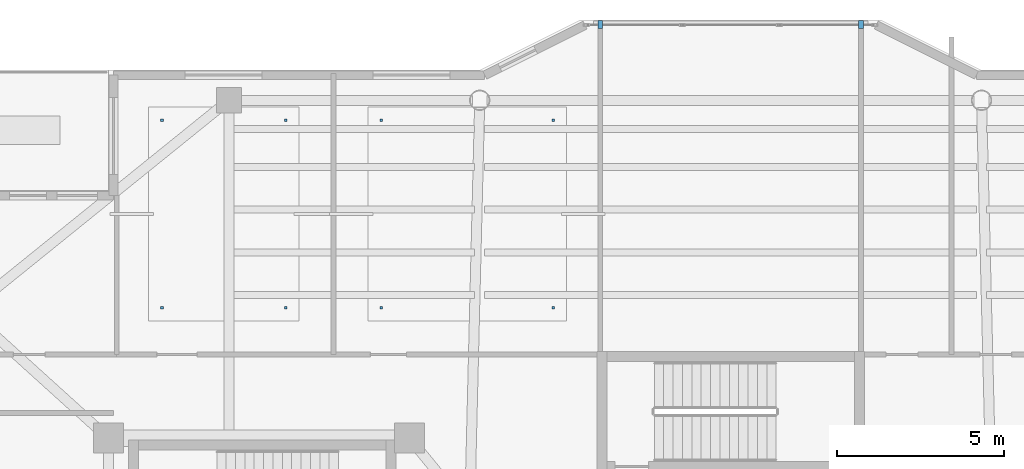
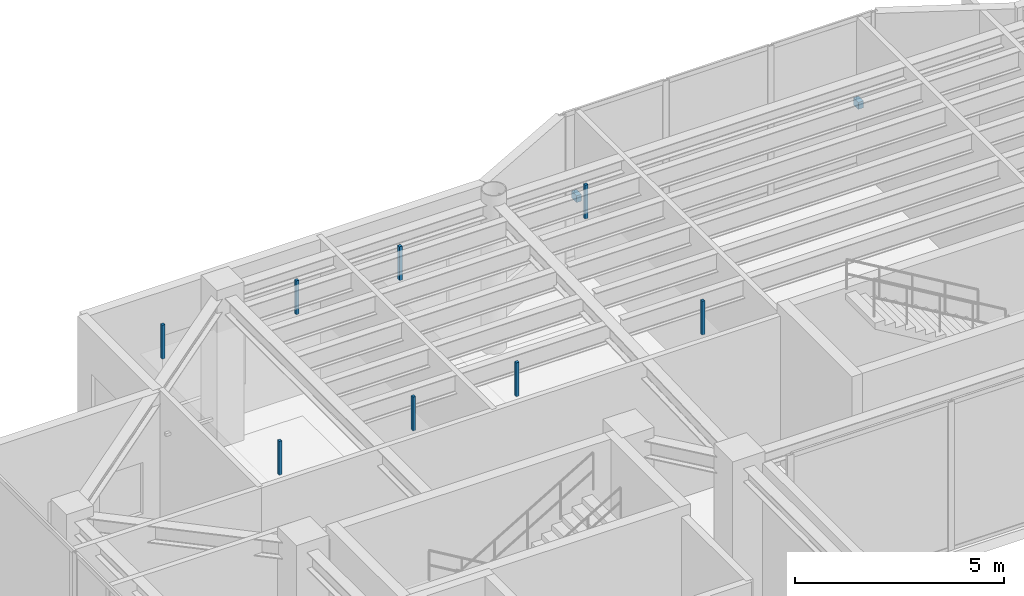
# One storey, part 29 of 34: 10 discrete accessories.
"""IFC4 building model written with IfcOpenShell, lengths in metres."""

import ifcopenshell
import ifcopenshell.guid

model = None  # the IFC model being written
_history = None  # IfcOwnerHistory: only IFC2X3 demands one
_inside = {}  # id of a spatial element -> (the spatial element, [elements in it])
_under = {}  # id of a project, library or spatial element -> (it, [spatial elements below it])
_declared = {}  # id of a project -> (the project, [libraries it declares])
_typed = {}  # id of a type object -> (the type object, [elements of that type])
_made_of = {}  # id of a material, layer set ... -> (it, [elements and type objects made of it])


def new_model(schema):
    """Start an empty IFC model of exactly this schema.

    Asked for "IFC4X3", IfcOpenShell would pick the latest addendum, in which some entities
    have other attributes; the version numbers below select the first issue.
    IFC2X3 requires an IfcOwnerHistory on every rooted entity: one is made here for all.
    """
    global model, _history
    if schema == "IFC4X3":
        model = ifcopenshell.file(schema_version=(4, 3, 0, 0))
    else:
        model = ifcopenshell.file(schema=schema)
    _inside.clear()
    _under.clear()
    _declared.clear()
    _typed.clear()
    _made_of.clear()
    _history = None
    if model.schema == "IFC2X3":
        org = make("IfcOrganization", Name="unknown")
        user = make(
            "IfcPersonAndOrganization",
            ThePerson=make("IfcPerson", FamilyName="unknown"),
            TheOrganization=org,
        )
        app = make(
            "IfcApplication",
            ApplicationDeveloper=org,
            Version="unknown",
            ApplicationFullName="unknown",
            ApplicationIdentifier="unknown",
        )
        _history = make(
            "IfcOwnerHistory",
            OwningUser=user,
            OwningApplication=app,
            ChangeAction="ADDED",
            CreationDate=0,
        )
    return model


def make(cls, **values):
    """One entity of the class cls with the attributes given. An attribute that is None is left unset."""
    return model.create_entity(
        cls, **{name: value for name, value in values.items() if value is not None}
    )


def rooted(cls, **values):
    """An entity with a GlobalId (a new one), such as an element, a storey or a relation."""
    return make(cls, GlobalId=ifcopenshell.guid.new(), OwnerHistory=_history, **values)


def si_unit(unit_type, name, prefix=None):
    """IfcSIUnit, for example si_unit("LENGTHUNIT", "METRE", prefix="MILLI")."""
    return make("IfcSIUnit", UnitType=unit_type, Prefix=prefix, Name=name)


def assignment(units):
    """IfcUnitAssignment: the units of a project."""
    return None if units is None else make("IfcUnitAssignment", Units=units)


def point(xyz):
    """IfcCartesianPoint."""
    return None if xyz is None else make("IfcCartesianPoint", Coordinates=xyz)


def direction(xyz):
    """IfcDirection."""
    return None if xyz is None else make("IfcDirection", DirectionRatios=xyz)


def frame(location, z_axis=None, x_axis=None):
    """IfcAxis2Placement3D, a coordinate frame: its origin and axes. An axis left out is left unset."""
    return make(
        "IfcAxis2Placement3D",
        Location=point(location),
        Axis=direction(z_axis),
        RefDirection=direction(x_axis),
    )


def frame_2d(location, x_axis=None):
    """IfcAxis2Placement2D, a coordinate frame in the plane: its origin and x axis."""
    return make(
        "IfcAxis2Placement2D", Location=point(location), RefDirection=direction(x_axis)
    )


def origin():
    """The frame at (0, 0, 0) with its axes left unset."""
    return frame((0.0, 0.0, 0.0))


def origin_2d():
    """The frame at (0, 0) in the plane with its x axis left unset."""
    return frame_2d((0.0, 0.0))


def place(relative_to, where):
    """IfcLocalPlacement: puts the frame where relative to a parent placement (None: the world)."""
    return make(
        "IfcLocalPlacement", PlacementRelTo=relative_to, RelativePlacement=where
    )


def context(
    kind, dimensions, precision=None, world=None, true_north=None, identifier=None
):
    """IfcGeometricRepresentationContext, for example the 3D "Model" context."""
    return make(
        "IfcGeometricRepresentationContext",
        ContextIdentifier=identifier,
        ContextType=kind,
        CoordinateSpaceDimension=dimensions,
        Precision=precision,
        WorldCoordinateSystem=world,
        TrueNorth=true_north,
    )


def subcontext(parent, identifier, kind, view, scale=None):
    """IfcGeometricRepresentationSubContext, for example "Body" below "Model"."""
    return make(
        "IfcGeometricRepresentationSubContext",
        ContextIdentifier=identifier,
        ContextType=kind,
        ParentContext=parent,
        TargetScale=scale,
        TargetView=view,
    )


def project(units=None, contexts=None):
    """IfcProject with its units and contexts."""
    return rooted(
        "IfcProject",
        Name="project",
        RepresentationContexts=contexts,
        UnitsInContext=assignment(units),
    )


def spatial(cls, under=None, at=None, **own):
    """A site, building, storey or space (cls), placed at a placement, below another one or the project."""
    s = rooted(cls, ObjectPlacement=at, **own)
    if under is not None:
        _under.setdefault(under.id(), (under, []))[1].append(s)
    return s


def profile(cls, at=None, kind="AREA", **sizes):
    """A parametric profile (cls). Its sizes go by their IFC names, for example OverallWidth=200.0."""
    return make(cls, ProfileType=kind, Position=at, **sizes)


def rectangle(**sizes):
    """IfcRectangleProfileDef."""
    return profile("IfcRectangleProfileDef", **sizes)


def extrude(swept, where, along, depth):
    """IfcExtrudedAreaSolid: the profile swept, set in the frame where, extruded along a direction by depth."""
    return make(
        "IfcExtrudedAreaSolid",
        SweptArea=swept,
        Position=where,
        ExtrudedDirection=direction(along),
        Depth=depth,
    )


def shape(context_of_items, identifier, shape_type, items):
    """IfcShapeRepresentation: the items that make up one representation, for example the "Body"."""
    return make(
        "IfcShapeRepresentation",
        ContextOfItems=context_of_items,
        RepresentationIdentifier=identifier,
        RepresentationType=shape_type,
        Items=items,
    )


def material(Name=None, Category=None):
    """IfcMaterial."""
    return make("IfcMaterial", Name=Name, Category=Category)


def made_of(thing, what):
    """Note that an element or type object is made of a material, layer set ...; save() writes the relation."""
    if what is not None:
        _made_of.setdefault(what.id(), (what, []))[1].append(thing)
    return thing


def type_object(cls, material=None, **own):
    """A type object (cls), such as IfcWallType, which elements share."""
    return made_of(rooted(cls, **own), material)


def element(
    cls,
    number,
    at=None,
    inside=None,
    cuts=None,
    type_object=None,
    material=None,
    context=None,
    identifier="Body",
    shape_type=None,
    held_by="IfcProductDefinitionShape",
    body=None,
    shapes=None,
    **own,
):
    """One element of the class cls, such as IfcWall. Its Tag is "e" and its number.

    at: its placement. inside: the storey or other place that contains it. cuts: it is an
    opening in that element (IfcRelVoidsElement). A single representation is given by context,
    identifier, shape_type and body (its items); several are given by shapes. held_by: the class
    of the entity that holds the representations. save() writes the other relations.
    """
    e = rooted(cls, Tag="e%d" % number, ObjectPlacement=at, **own)
    if body is not None:
        shapes = [shape(context, identifier, shape_type, body)]
    if shapes is not None:
        e.Representation = make(held_by, Representations=shapes)
    if inside is not None:
        _inside.setdefault(inside.id(), (inside, []))[1].append(e)
    if cuts is not None:
        rooted(
            "IfcRelVoidsElement", RelatingBuildingElement=cuts, RelatedOpeningElement=e
        )
    if type_object is not None:
        _typed.setdefault(type_object.id(), (type_object, []))[1].append(e)
    return made_of(e, material)


def aggregate(whole, parts):
    """IfcRelAggregates: a whole, such as a stair, and the parts it consists of."""
    return rooted("IfcRelAggregates", RelatingObject=whole, RelatedObjects=parts)


def save(model, path):
    """Write the relations noted so far, then the file.

    IfcRelAggregates (storeys below a building ...), IfcRelContainedInSpatialStructure (elements
    in a storey), IfcRelDefinesByType, IfcRelAssociatesMaterial and IfcRelDeclares: one each for
    every whole, place, type object, material and project.
    """
    for whole, parts in _under.values():
        aggregate(whole, parts)
    for where, things in _inside.values():
        rooted(
            "IfcRelContainedInSpatialStructure",
            RelatedElements=things,
            RelatingStructure=where,
        )
    for kind, things in _typed.values():
        rooted("IfcRelDefinesByType", RelatedObjects=things, RelatingType=kind)
    for what, things in _made_of.values():
        rooted("IfcRelAssociatesMaterial", RelatedObjects=things, RelatingMaterial=what)
    for by, libraries in _declared.values():
        rooted("IfcRelDeclares", RelatingContext=by, RelatedDefinitions=libraries)
    model.write(path)


model = new_model("IFC4")

# Units and contexts
model_context = context("Model", 3, precision=1e-05, world=origin(), true_north=direction((0.0, 1.0)))
body_context = subcontext(model_context, "Body", "Model", "MODEL_VIEW")
ifc_project = project(units=[si_unit("LENGTHUNIT", "METRE"), si_unit("AREAUNIT", "SQUARE_METRE"), si_unit("VOLUMEUNIT", "CUBIC_METRE"), si_unit("PLANEANGLEUNIT", "RADIAN"), si_unit("MASSUNIT", "GRAM", prefix="KILO")], contexts=[model_context])

# Site, building, storey
site_placement = place(None, origin())
site = spatial("IfcSite", under=ifc_project, at=site_placement, CompositionType="ELEMENT")
building_placement = place(site_placement, origin())
building = spatial("IfcBuilding", under=site, at=building_placement, Name="Tarnavaz Court Tower", CompositionType="ELEMENT")
storey_placement = place(building_placement, frame((0.0, 0.0, 231.75)))
storey = spatial("IfcBuildingStorey", under=building, at=storey_placement, Name="L63", CompositionType="ELEMENT", Elevation=231.75)

# Discrete accessories
ifc_material = material(Name="Anodised Aluminium 6063-T6", Category="aluminium")
discrete_accessory_type = type_object("IfcDiscreteAccessoryType", Name="DA-BRKT-ALU", PredefinedType="BRACKET", material=ifc_material)
for number, where, z_axis, x_axis, name in (
    (1, (-3.89990234375, 22.3701171875, 1.7001953125), (0.0, 0.0, 1.0), (1.0, 0.0, 0.0), "L63 Baguette Outrigger Bracket PBG7-1"),
    (2, (3.89990234375, 22.3701171875, 1.7001953125), (0.0, 0.0, 1.0), (1.0, 0.0, 0.0), "L63 Baguette Outrigger Bracket PBG7-2"),
):
    element("IfcDiscreteAccessory", number, at=place(storey_placement, frame(where, z_axis=z_axis, x_axis=x_axis)), inside=storey, type_object=discrete_accessory_type, Name=name, PredefinedType="BRACKET", context=body_context, shape_type="SweptSolid", body=[
        extrude(rectangle(XDim=0.139892578125, YDim=0.239990234375, at=origin_2d()), origin(), (0.0, 0.0, 1.0), 0.199951171875),
    ])
for number, where, z_axis, x_axis, name in (
    (3, (-17.0, 13.89990234375, 3.39013671875), (0.0, 0.0, 1.0), (1.0, 0.0, 0.0), "L63 Ceiling Suspension Hanger Bracket 01-1"),
    (4, (-13.300048828125, 13.89990234375, 3.39013671875), (0.0, 0.0, 1.0), (1.0, 0.0, 0.0), "L63 Ceiling Suspension Hanger Bracket 01-2"),
    (5, (-13.300048828125, 19.5, 3.39013671875), (0.0, 0.0, 1.0), (1.0, 0.0, 0.0), "L63 Ceiling Suspension Hanger Bracket 01-3"),
    (6, (-17.0, 19.5, 3.39013671875), (0.0, 0.0, 1.0), (1.0, 0.0, 0.0), "L63 Ceiling Suspension Hanger Bracket 01-4"),
    (7, (-10.43994140625, 13.89990234375, 3.39013671875), (0.0, 0.0, 1.0), (1.0, 0.0, 0.0), "L63 Ceiling Suspension Hanger Bracket 02-1"),
    (8, (-5.300048828125, 13.89990234375, 3.39013671875), (0.0, 0.0, 1.0), (1.0, 0.0, 0.0), "L63 Ceiling Suspension Hanger Bracket 02-2"),
    (9, (-5.300048828125, 19.5, 3.39013671875), (0.0, 0.0, 1.0), (1.0, 0.0, 0.0), "L63 Ceiling Suspension Hanger Bracket 02-3"),
    (10, (-10.43994140625, 19.5, 3.39013671875), (0.0, 0.0, 1.0), (1.0, 0.0, 0.0), "L63 Ceiling Suspension Hanger Bracket 02-4"),
):
    element("IfcDiscreteAccessory", number, at=place(storey_placement, frame(where, z_axis=z_axis, x_axis=x_axis)), inside=storey, type_object=discrete_accessory_type, Name=name, PredefinedType="BRACKET", context=body_context, shape_type="SweptSolid", body=[
        extrude(rectangle(XDim=0.080078125, YDim=0.080078125, at=origin_2d()), origin(), (0.0, 0.0, 1.0), 0.989990234375),
    ])

save(model, "model.ifc")
